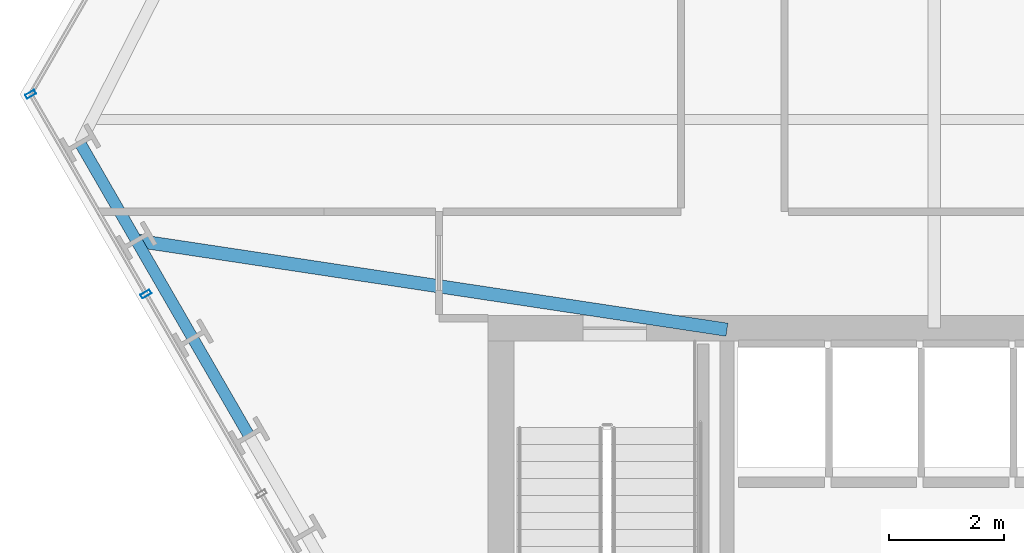
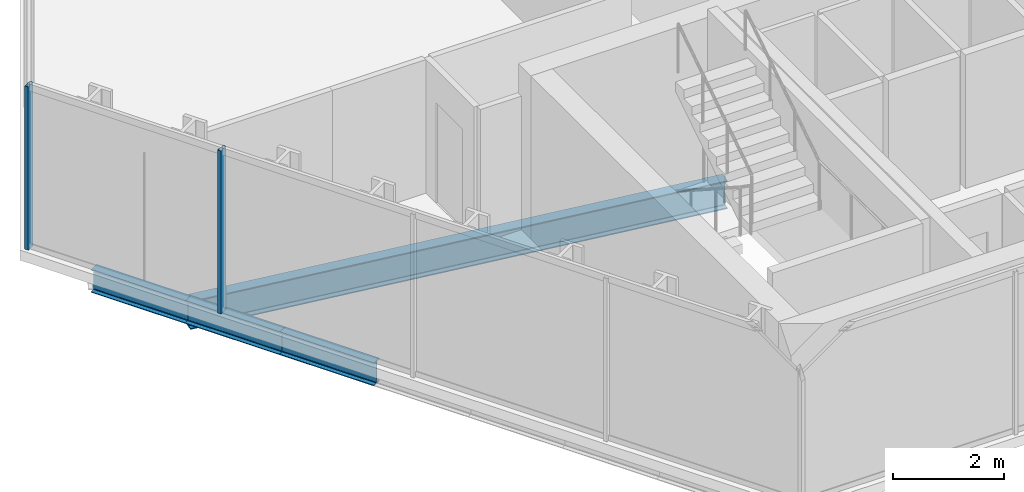
# One storey, part 4 of 32: 4 beams, 2 members, 1 element without a shape of its own.
"""IFC4 building model written with IfcOpenShell, lengths in metres."""

import ifcopenshell
import ifcopenshell.guid

model = None  # the IFC model being written
_history = None  # IfcOwnerHistory: only IFC2X3 demands one
_inside = {}  # id of a spatial element -> (the spatial element, [elements in it])
_under = {}  # id of a project, library or spatial element -> (it, [spatial elements below it])
_declared = {}  # id of a project -> (the project, [libraries it declares])
_typed = {}  # id of a type object -> (the type object, [elements of that type])
_made_of = {}  # id of a material, layer set ... -> (it, [elements and type objects made of it])


def new_model(schema):
    """Start an empty IFC model of exactly this schema.

    Asked for "IFC4X3", IfcOpenShell would pick the latest addendum, in which some entities
    have other attributes; the version numbers below select the first issue.
    IFC2X3 requires an IfcOwnerHistory on every rooted entity: one is made here for all.
    """
    global model, _history
    if schema == "IFC4X3":
        model = ifcopenshell.file(schema_version=(4, 3, 0, 0))
    else:
        model = ifcopenshell.file(schema=schema)
    _inside.clear()
    _under.clear()
    _declared.clear()
    _typed.clear()
    _made_of.clear()
    _history = None
    if model.schema == "IFC2X3":
        org = make("IfcOrganization", Name="unknown")
        user = make(
            "IfcPersonAndOrganization",
            ThePerson=make("IfcPerson", FamilyName="unknown"),
            TheOrganization=org,
        )
        app = make(
            "IfcApplication",
            ApplicationDeveloper=org,
            Version="unknown",
            ApplicationFullName="unknown",
            ApplicationIdentifier="unknown",
        )
        _history = make(
            "IfcOwnerHistory",
            OwningUser=user,
            OwningApplication=app,
            ChangeAction="ADDED",
            CreationDate=0,
        )
    return model


def make(cls, **values):
    """One entity of the class cls with the attributes given. An attribute that is None is left unset."""
    return model.create_entity(
        cls, **{name: value for name, value in values.items() if value is not None}
    )


def rooted(cls, **values):
    """An entity with a GlobalId (a new one), such as an element, a storey or a relation."""
    return make(cls, GlobalId=ifcopenshell.guid.new(), OwnerHistory=_history, **values)


def si_unit(unit_type, name, prefix=None):
    """IfcSIUnit, for example si_unit("LENGTHUNIT", "METRE", prefix="MILLI")."""
    return make("IfcSIUnit", UnitType=unit_type, Prefix=prefix, Name=name)


def assignment(units):
    """IfcUnitAssignment: the units of a project."""
    return None if units is None else make("IfcUnitAssignment", Units=units)


def point(xyz):
    """IfcCartesianPoint."""
    return None if xyz is None else make("IfcCartesianPoint", Coordinates=xyz)


def direction(xyz):
    """IfcDirection."""
    return None if xyz is None else make("IfcDirection", DirectionRatios=xyz)


def frame(location, z_axis=None, x_axis=None):
    """IfcAxis2Placement3D, a coordinate frame: its origin and axes. An axis left out is left unset."""
    return make(
        "IfcAxis2Placement3D",
        Location=point(location),
        Axis=direction(z_axis),
        RefDirection=direction(x_axis),
    )


def frame_2d(location, x_axis=None):
    """IfcAxis2Placement2D, a coordinate frame in the plane: its origin and x axis."""
    return make(
        "IfcAxis2Placement2D", Location=point(location), RefDirection=direction(x_axis)
    )


def origin():
    """The frame at (0, 0, 0) with its axes left unset."""
    return frame((0.0, 0.0, 0.0))


def origin_2d():
    """The frame at (0, 0) in the plane with its x axis left unset."""
    return frame_2d((0.0, 0.0))


def place(relative_to, where):
    """IfcLocalPlacement: puts the frame where relative to a parent placement (None: the world)."""
    return make(
        "IfcLocalPlacement", PlacementRelTo=relative_to, RelativePlacement=where
    )


def context(
    kind, dimensions, precision=None, world=None, true_north=None, identifier=None
):
    """IfcGeometricRepresentationContext, for example the 3D "Model" context."""
    return make(
        "IfcGeometricRepresentationContext",
        ContextIdentifier=identifier,
        ContextType=kind,
        CoordinateSpaceDimension=dimensions,
        Precision=precision,
        WorldCoordinateSystem=world,
        TrueNorth=true_north,
    )


def subcontext(parent, identifier, kind, view, scale=None):
    """IfcGeometricRepresentationSubContext, for example "Body" below "Model"."""
    return make(
        "IfcGeometricRepresentationSubContext",
        ContextIdentifier=identifier,
        ContextType=kind,
        ParentContext=parent,
        TargetScale=scale,
        TargetView=view,
    )


def project(units=None, contexts=None):
    """IfcProject with its units and contexts."""
    return rooted(
        "IfcProject",
        Name="project",
        RepresentationContexts=contexts,
        UnitsInContext=assignment(units),
    )


def spatial(cls, under=None, at=None, **own):
    """A site, building, storey or space (cls), placed at a placement, below another one or the project."""
    s = rooted(cls, ObjectPlacement=at, **own)
    if under is not None:
        _under.setdefault(under.id(), (under, []))[1].append(s)
    return s


def profile(cls, at=None, kind="AREA", **sizes):
    """A parametric profile (cls). Its sizes go by their IFC names, for example OverallWidth=200.0."""
    return make(cls, ProfileType=kind, Position=at, **sizes)


def hollow_rectangle(**sizes):
    """IfcRectangleHollowProfileDef."""
    return profile("IfcRectangleHollowProfileDef", **sizes)


def i_section(**sizes):
    """IfcIShapeProfileDef."""
    return profile("IfcIShapeProfileDef", **sizes)


def extrude(swept, where, along, depth):
    """IfcExtrudedAreaSolid: the profile swept, set in the frame where, extruded along a direction by depth."""
    return make(
        "IfcExtrudedAreaSolid",
        SweptArea=swept,
        Position=where,
        ExtrudedDirection=direction(along),
        Depth=depth,
    )


def shape(context_of_items, identifier, shape_type, items):
    """IfcShapeRepresentation: the items that make up one representation, for example the "Body"."""
    return make(
        "IfcShapeRepresentation",
        ContextOfItems=context_of_items,
        RepresentationIdentifier=identifier,
        RepresentationType=shape_type,
        Items=items,
    )


def material(Name=None, Category=None):
    """IfcMaterial."""
    return make("IfcMaterial", Name=Name, Category=Category)


def layer(
    of_material, thickness, ventilated=None, Name=None, Category=None, Priority=None
):
    """IfcMaterialLayer: one layer of a wall or slab, of a material (None: an air gap)."""
    return make(
        "IfcMaterialLayer",
        Material=of_material,
        LayerThickness=thickness,
        IsVentilated=ventilated,
        Name=Name,
        Category=Category,
        Priority=Priority,
    )


def layer_set(layers, Name=None):
    """IfcMaterialLayerSet."""
    return make("IfcMaterialLayerSet", MaterialLayers=layers, LayerSetName=Name)


def material_profile(
    of_material, cross_section, Name=None, Category=None, Priority=None
):
    """IfcMaterialProfile: a cross section and its material."""
    return make(
        "IfcMaterialProfile",
        Name=Name,
        Material=of_material,
        Profile=cross_section,
        Priority=Priority,
        Category=Category,
    )


def profile_set(profiles, Name=None, composite=None):
    """IfcMaterialProfileSet."""
    return make(
        "IfcMaterialProfileSet",
        Name=Name,
        MaterialProfiles=profiles,
        CompositeProfile=composite,
    )


def made_of(thing, what):
    """Note that an element or type object is made of a material, layer set ...; save() writes the relation."""
    if what is not None:
        _made_of.setdefault(what.id(), (what, []))[1].append(thing)
    return thing


def type_object(cls, material=None, **own):
    """A type object (cls), such as IfcWallType, which elements share."""
    return made_of(rooted(cls, **own), material)


def element(
    cls,
    number,
    at=None,
    inside=None,
    cuts=None,
    type_object=None,
    material=None,
    context=None,
    identifier="Body",
    shape_type=None,
    held_by="IfcProductDefinitionShape",
    body=None,
    shapes=None,
    **own,
):
    """One element of the class cls, such as IfcWall. Its Tag is "e" and its number.

    at: its placement. inside: the storey or other place that contains it. cuts: it is an
    opening in that element (IfcRelVoidsElement). A single representation is given by context,
    identifier, shape_type and body (its items); several are given by shapes. held_by: the class
    of the entity that holds the representations. save() writes the other relations.
    """
    e = rooted(cls, Tag="e%d" % number, ObjectPlacement=at, **own)
    if body is not None:
        shapes = [shape(context, identifier, shape_type, body)]
    if shapes is not None:
        e.Representation = make(held_by, Representations=shapes)
    if inside is not None:
        _inside.setdefault(inside.id(), (inside, []))[1].append(e)
    if cuts is not None:
        rooted(
            "IfcRelVoidsElement", RelatingBuildingElement=cuts, RelatedOpeningElement=e
        )
    if type_object is not None:
        _typed.setdefault(type_object.id(), (type_object, []))[1].append(e)
    return made_of(e, material)


def aggregate(whole, parts):
    """IfcRelAggregates: a whole, such as a stair, and the parts it consists of."""
    return rooted("IfcRelAggregates", RelatingObject=whole, RelatedObjects=parts)


def save(model, path):
    """Write the relations noted so far, then the file.

    IfcRelAggregates (storeys below a building ...), IfcRelContainedInSpatialStructure (elements
    in a storey), IfcRelDefinesByType, IfcRelAssociatesMaterial and IfcRelDeclares: one each for
    every whole, place, type object, material and project.
    """
    for whole, parts in _under.values():
        aggregate(whole, parts)
    for where, things in _inside.values():
        rooted(
            "IfcRelContainedInSpatialStructure",
            RelatedElements=things,
            RelatingStructure=where,
        )
    for kind, things in _typed.values():
        rooted("IfcRelDefinesByType", RelatedObjects=things, RelatingType=kind)
    for what, things in _made_of.values():
        rooted("IfcRelAssociatesMaterial", RelatedObjects=things, RelatingMaterial=what)
    for by, libraries in _declared.values():
        rooted("IfcRelDeclares", RelatingContext=by, RelatedDefinitions=libraries)
    model.write(path)


model = new_model("IFC4")

# Units and contexts
model_context = context("Model", 3, precision=1e-05, world=origin(), true_north=direction((0.0, 1.0)))
body_context = subcontext(model_context, "Body", "Model", "MODEL_VIEW")
ifc_project = project(units=[si_unit("LENGTHUNIT", "METRE"), si_unit("AREAUNIT", "SQUARE_METRE"), si_unit("VOLUMEUNIT", "CUBIC_METRE"), si_unit("PLANEANGLEUNIT", "RADIAN"), si_unit("MASSUNIT", "GRAM", prefix="KILO")], contexts=[model_context])

# Site, building, storey
site_placement = place(None, origin())
site = spatial("IfcSite", under=ifc_project, at=site_placement, CompositionType="ELEMENT")
building_placement = place(site_placement, origin())
building = spatial("IfcBuilding", under=site, at=building_placement, Name="Ndaravel Arena Tower", CompositionType="ELEMENT")
storey_placement = place(building_placement, frame((0.0, 0.0, 51.199951171875)))
storey = spatial("IfcBuildingStorey", under=building, at=storey_placement, Name="L10", CompositionType="ELEMENT", Elevation=51.199951171875)

# Beams
ifc_material_1 = material(Name="Steel S355", Category="steel")
ifc_material_profile_1 = material_profile(ifc_material_1, i_section(OverallWidth=0.230224609375, OverallDepth=0.6171875, WebThickness=0.01318359375, FlangeThickness=0.022216796875, FilletRadius=0.0126953125, at=origin_2d()), Name="UB 610x229x140")
ifc_profile_set_1 = profile_set([ifc_material_profile_1], Name="Steel S355")
beam_type_1 = type_object("IfcBeamType", Name="BM-GIRD-UB610B", PredefinedType="BEAM", material=ifc_profile_set_1)
beam_1_placement = place(storey_placement, frame((20.343994140625, 16.4970703125, -0.528564453125), z_axis=(0.988812912009, -0.149161070804, 0.0), x_axis=(0.149161070804, 0.988812912009, 0.0)))
element("IfcBeam", 1, at=beam_1_placement, inside=storey, type_object=beam_type_1, Name="L10 Radial Floor Girder FG-21", PredefinedType="BEAM", context=body_context, shape_type="SweptSolid", body=[
    extrude(i_section(OverallWidth=0.230224609375, OverallDepth=0.6171875, WebThickness=0.01318359375, FlangeThickness=0.022216796875, FilletRadius=0.0126953125, at=origin_2d()), origin(), (0.0, 0.0, 1.0), 10.3720703125),
])
ifc_material_2 = material(Name="Steel S355", Category="steel")
ifc_material_profile_2 = material_profile(ifc_material_2, i_section(OverallWidth=0.199951171875, OverallDepth=0.5, WebThickness=0.01025390625, FlangeThickness=0.01611328125, FilletRadius=0.02099609375, at=origin_2d()), Name="IPE 500")
ifc_profile_set_2 = profile_set([ifc_material_profile_2], Name="Steel S355")
beam_type_2 = type_object("IfcBeamType", Name="BM-SPAN-IPE500", PredefinedType="SPANDREL", material=ifc_profile_set_2)
for number, where, z_axis, x_axis, name in (
    (2, (19.365478515625, 18.19189453125, -0.469970703125), (0.500003221507, -0.866023543838, 0.0), (0.866023543838, 0.500003221507, 0.0), "L10 Perimeter Spandrel Beam SP-20"),
    (3, (20.343994140625, 16.4970703125, -0.469970703125), (0.500096775829, -0.865969523024, 0.0), (0.865969523024, 0.500096775829, 0.0), "L10 Perimeter Spandrel Beam SP-21"),
):
    element("IfcBeam", number, at=place(storey_placement, frame(where, z_axis=z_axis, x_axis=x_axis)), inside=storey, type_object=beam_type_2, Name=name, PredefinedType="SPANDREL", context=body_context, shape_type="SweptSolid", body=[
        extrude(i_section(OverallWidth=0.199951171875, OverallDepth=0.5, WebThickness=0.01025390625, FlangeThickness=0.01611328125, FilletRadius=0.02099609375, at=origin_2d()), origin(), (0.0, 0.0, 1.0), 1.95703125),
    ])
beam_2_placement = place(storey_placement, frame((21.32275390625, 14.80224609375, -0.469970703125), z_axis=(0.49994920724, -0.866054727012, 0.0), x_axis=(0.866054727012, 0.49994920724, 0.0)))
element("IfcBeam", 4, at=beam_2_placement, inside=storey, type_object=beam_type_2, Name="L10 Perimeter Spandrel Beam SP-22", PredefinedType="SPANDREL", context=body_context, shape_type="SweptSolid", body=[
    extrude(i_section(OverallWidth=0.199951171875, OverallDepth=0.5, WebThickness=0.01025390625, FlangeThickness=0.01611328125, FilletRadius=0.02099609375, at=origin_2d()), origin(), (0.0, 0.0, 1.0), 1.957275390625),
])

# Curtain wall, members
ifc_material_3 = material(Name="Aluminium", Category="aluminium")
ifc_layer = layer(ifc_material_3, 0.179931640625)
ifc_layer_set = layer_set([ifc_layer], Name="Aluminium")
curtain_wall_type = type_object("IfcCurtainWallType", Name="CW-SYS-02", PredefinedType="NOTDEFINED", material=ifc_layer_set)
curtain_wall_placement = place(storey_placement, origin())
curtain_wall = element("IfcCurtainWall", 5, at=curtain_wall_placement, inside=storey, type_object=curtain_wall_type, Name="L10 Faceted Crystal Curtain Wall CW-L10-E06", PredefinedType="NOTDEFINED")
ifc_material_4 = material(Name="Aluminium", Category="aluminium")
ifc_material_profile_3 = material_profile(ifc_material_4, hollow_rectangle(XDim=0.074951171875, YDim=0.179931640625, WallThickness=0.00390625, at=origin_2d()), Name="CW MULLION 75x180x4")
ifc_profile_set_3 = profile_set([ifc_material_profile_3], Name="Aluminium")
member_type = type_object("IfcMemberType", Name="MEM-CW-MUL180", PredefinedType="MULLION", material=ifc_profile_set_3)
member_1_placement = place(storey_placement, frame((18.5068359375, 19.03955078125, 0.0), z_axis=(0.0, 0.0, 1.0), x_axis=(0.5, -0.866025403784, 0.0)))
member_1 = element("IfcMember", 6, at=member_1_placement, type_object=member_type, Name="CW-L10-E06 Mullion 00", PredefinedType="MULLION", context=body_context, shape_type="SweptSolid", body=[
    extrude(hollow_rectangle(XDim=0.074951171875, YDim=0.179931640625, WallThickness=0.00390625, at=origin_2d()), origin(), (0.0, 0.0, 1.0), 3.580078125),
])
member_2_placement = place(storey_placement, frame((20.510009765625, 15.569580078125, 0.0), z_axis=(0.0, 0.0, 1.0), x_axis=(0.5, -0.866025403784, 0.0)))
member_2 = element("IfcMember", 7, at=member_2_placement, type_object=member_type, Name="CW-L10-E06 Mullion 01", PredefinedType="MULLION", context=body_context, shape_type="SweptSolid", body=[
    extrude(hollow_rectangle(XDim=0.074951171875, YDim=0.179931640625, WallThickness=0.00390625, at=origin_2d()), origin(), (0.0, 0.0, 1.0), 3.580078125),
])
aggregate(curtain_wall, [member_1, member_2])

save(model, "model.ifc")
